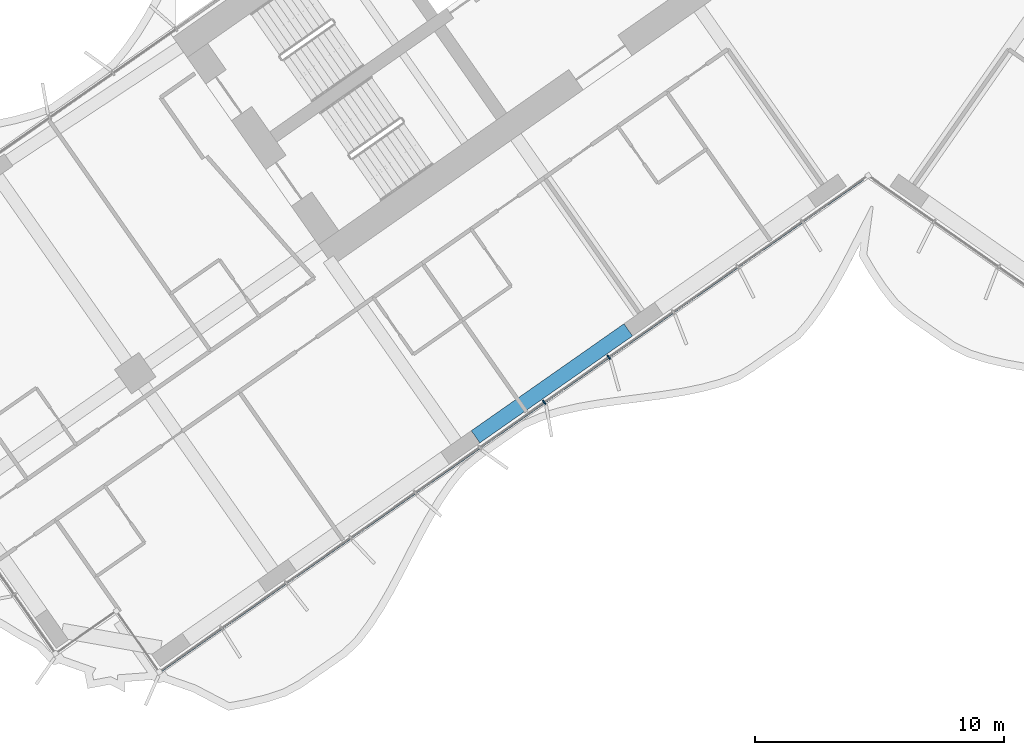
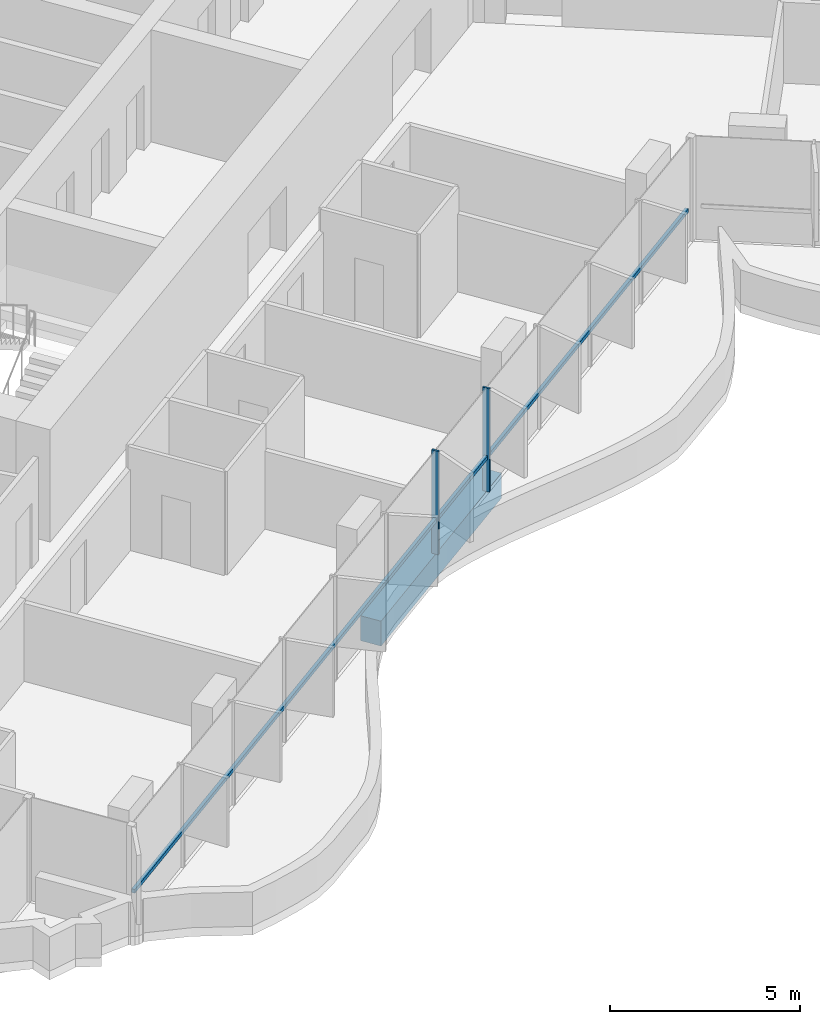
# One storey, part 3 of 22: 3 members, 1 beam, 1 element without a shape of its own.
"""IFC4 building model written with IfcOpenShell, lengths in metres."""

from ifc_helpers import new_model, si_unit, direction, frame, origin, origin_2d, place, context, subcontext, project, spatial, rectangle, extrude, material, material_profile, profile_set, type_object, element, aggregate, save


model = new_model("IFC4")

# Units and contexts
model_context = context("Model", 3, precision=1e-05, world=origin(), true_north=direction((0.0, 1.0)))
body_context = subcontext(model_context, "Body", "Model", "MODEL_VIEW")
ifc_project = project(units=[si_unit("LENGTHUNIT", "METRE"), si_unit("AREAUNIT", "SQUARE_METRE"), si_unit("VOLUMEUNIT", "CUBIC_METRE"), si_unit("PLANEANGLEUNIT", "RADIAN"), si_unit("MASSUNIT", "GRAM", prefix="KILO")], contexts=[model_context])

# Site, building, storey
site_placement = place(None, origin())
site = spatial("IfcSite", under=ifc_project, at=site_placement, CompositionType="ELEMENT")
building_placement = place(site_placement, origin())
building = spatial("IfcBuilding", under=site, at=building_placement, Name="Tel Ilan Convention Tower", CompositionType="ELEMENT")
storey_placement = place(building_placement, frame((0.0, 0.0, 122.89990234375)))
storey = spatial("IfcBuildingStorey", under=building, at=storey_placement, Name="L27", CompositionType="ELEMENT", Elevation=122.89990234375)

# Beam
ifc_material_1 = material(Name="Concrete C40/50", Category="concrete")
ifc_material_profile_1 = material_profile(ifc_material_1, rectangle(XDim=0.60009765625, YDim=0.800048828125, at=origin_2d()), Name="RC 600x800")
ifc_profile_set_1 = profile_set([ifc_material_profile_1], Name="Concrete C40/50")
beam_type = type_object("IfcBeamType", Name="Beam RC 600x800 Concrete C40/50", PredefinedType="BEAM", material=ifc_profile_set_1)
beam_placement = place(storey_placement, frame((-9.652099609375, -18.905029296875, -0.679931640625), z_axis=(-0.81915238829, -0.573575945067, 0.0), x_axis=(0.573575945067, -0.81915238829, 0.0)))
element("IfcBeam", 1, at=beam_placement, inside=storey, type_object=beam_type, Name="L27 beam W-W-F2-W-F3", PredefinedType="BEAM", context=body_context, shape_type="SweptSolid", body=[
    extrude(rectangle(XDim=0.60009765625, YDim=0.800048828125, at=origin_2d()), origin(), (0.0, 0.0, 1.0), 7.5),
])

# Curtain wall, members
ifc_material_2 = material(Name="Aluminium, bronze anodised", Category="aluminium")
curtain_wall_type = type_object("IfcCurtainWallType", Name="CW1 UNITISED CURTAIN WALL, HOTEL TINTED GLASS", PredefinedType="NOTDEFINED", material=ifc_material_2)
curtain_wall_placement = place(storey_placement, origin())
curtain_wall = element("IfcCurtainWall", 2, at=curtain_wall_placement, inside=storey, type_object=curtain_wall_type, Name="Curtain wall CW1-21.02", PredefinedType="NOTDEFINED")
ifc_material_3 = material(Name="Aluminium, bronze anodised", Category="aluminium")
ifc_material_profile_2 = material_profile(ifc_material_3, rectangle(XDim=0.06005859375, YDim=0.199951171875, at=origin_2d()), Name="CW MULLION 60x200")
ifc_profile_set_2 = profile_set([ifc_material_profile_2], Name="Aluminium, bronze anodised")
member_type_1 = type_object("IfcMemberType", Name="CW MULLION 60x200", PredefinedType="MULLION", material=ifc_profile_set_2)
member_1_placement = place(storey_placement, frame((-13.03271484375, -21.821533203125, 0.0), z_axis=(0.0, 0.0, 1.0), x_axis=(0.819152044289, 0.573576436351, 0.0)))
member_1 = element("IfcMember", 3, at=member_1_placement, type_object=member_type_1, Name="Mullion", PredefinedType="MULLION", context=body_context, shape_type="SweptSolid", body=[
    extrude(rectangle(XDim=0.06005859375, YDim=0.199951171875, at=origin_2d()), origin(), (0.0, 0.0, 1.0), 3.320068359375),
])
member_2_placement = place(storey_placement, frame((-10.4375, -20.004638671875, 0.0), z_axis=(0.0, 0.0, 1.0), x_axis=(0.819152044289, 0.573576436351, 0.0)))
member_2 = element("IfcMember", 4, at=member_2_placement, type_object=member_type_1, Name="Mullion", PredefinedType="MULLION", context=body_context, shape_type="SweptSolid", body=[
    extrude(rectangle(XDim=0.06005859375, YDim=0.199951171875, at=origin_2d()), origin(), (0.0, 0.0, 1.0), 3.320068359375),
])
ifc_material_4 = material(Name="Aluminium, bronze anodised", Category="aluminium")
ifc_material_profile_3 = material_profile(ifc_material_4, rectangle(XDim=0.10009765625, YDim=0.1201171875, at=origin_2d()), Name="CW TRANSOM 100x120")
ifc_profile_set_3 = profile_set([ifc_material_profile_3], Name="Aluminium, bronze anodised")
member_type_2 = type_object("IfcMemberType", Name="CW TRANSOM 100x120", PredefinedType="USERDEFINED", material=ifc_profile_set_3)
member_3_placement = place(storey_placement, frame((-28.439208984375, -32.609375, 1.10009765625), z_axis=(0.819151003602, 0.573577922604, 0.0), x_axis=(-0.573577922604, 0.819151003602, 0.0)))
member_3 = element("IfcMember", 5, at=member_3_placement, type_object=member_type_2, Name="Transom", ObjectType="TRANSOM", PredefinedType="USERDEFINED", context=body_context, shape_type="SweptSolid", body=[
    extrude(rectangle(XDim=0.10009765625, YDim=0.1201171875, at=origin_2d()), origin(), (0.0, 0.0, 1.0), 34.447998046875),
])
aggregate(curtain_wall, [member_1, member_2, member_3])

save(model, "model.ifc")
